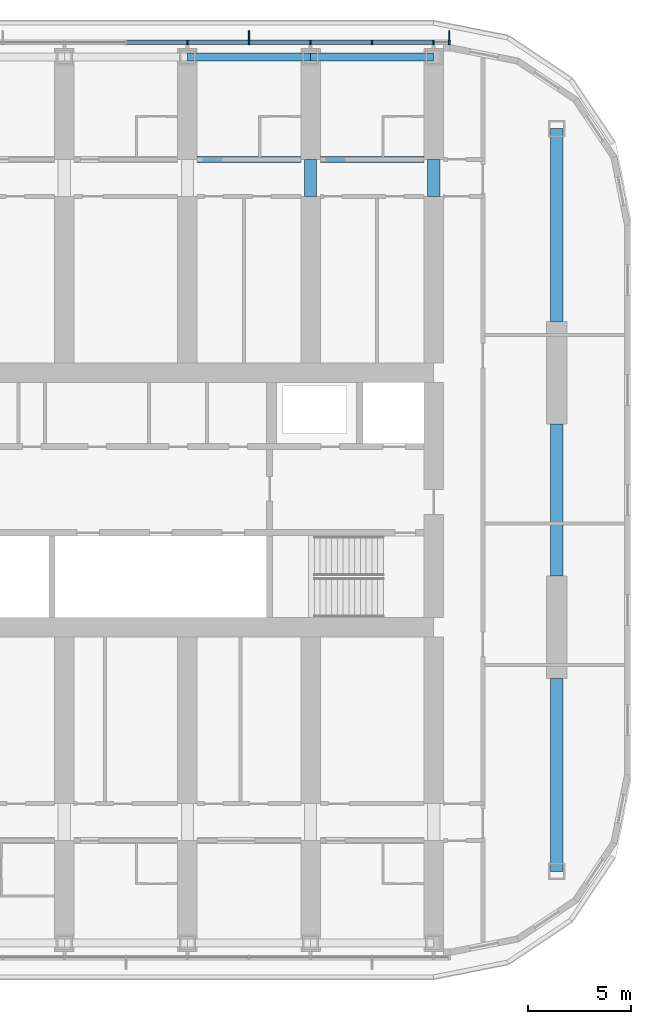
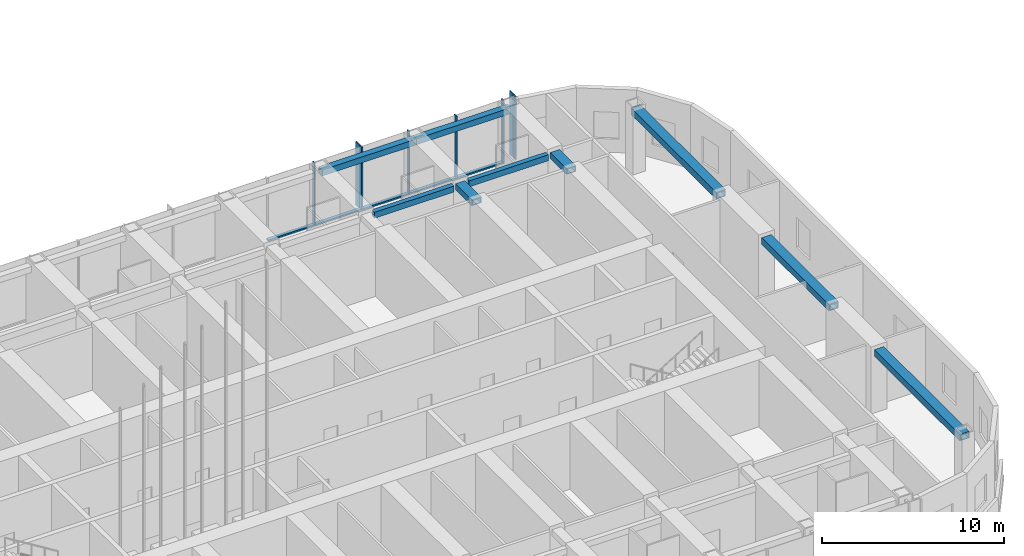
# One storey, part 5 of 32: 13 members, 9 beams, 1 element without a shape of its own.
"""IFC4 building model written with IfcOpenShell, lengths in metres."""

from ifc_helpers import new_model, si_unit, direction, frame, origin, origin_2d, place, context, subcontext, project, spatial, rectangle, hollow_rectangle, extrude, material, material_profile, profile_set, type_object, element, aggregate, save


model = new_model("IFC4")

# Units and contexts
model_context = context("Model", 3, precision=1e-05, world=origin(), true_north=direction((0.0, 1.0)))
body_context = subcontext(model_context, "Body", "Model", "MODEL_VIEW")
ifc_project = project(units=[si_unit("LENGTHUNIT", "METRE"), si_unit("AREAUNIT", "SQUARE_METRE"), si_unit("VOLUMEUNIT", "CUBIC_METRE"), si_unit("PLANEANGLEUNIT", "RADIAN"), si_unit("MASSUNIT", "GRAM", prefix="KILO")], contexts=[model_context])

# Site, building, storey
site_placement = place(None, origin())
site = spatial("IfcSite", under=ifc_project, at=site_placement, CompositionType="ELEMENT")
building_placement = place(site_placement, origin())
building = spatial("IfcBuilding", under=site, at=building_placement, Name="Orbita Commons", CompositionType="ELEMENT")
storey_placement = place(building_placement, frame((0.0, 0.0, 140.35009765625)))
storey = spatial("IfcBuildingStorey", under=building, at=storey_placement, Name="L34", CompositionType="ELEMENT", Elevation=140.35009765625)

# Curtain wall, members
ifc_material_1 = material(Name="Anodised aluminium frame, pale silver", Category="aluminium")
curtain_wall_type = type_object("IfcCurtainWallType", Name="Unitised curtain wall CW-S, full-height", PredefinedType="NOTDEFINED", material=ifc_material_1)
curtain_wall_placement = place(storey_placement, origin())
curtain_wall = element("IfcCurtainWall", 1, at=curtain_wall_placement, inside=storey, type_object=curtain_wall_type, Name="Curtain wall north L34", PredefinedType="NOTDEFINED")
ifc_material_2 = material(Name="Anodised aluminium, pale silver", Category="aluminium")
ifc_material_profile_1 = material_profile(ifc_material_2, rectangle(XDim=0.080078125, YDim=0.219970703125, at=origin_2d()), Name="AL 80x220")
ifc_profile_set_1 = profile_set([ifc_material_profile_1], Name="Anodised aluminium, pale silver")
member_type_1 = type_object("IfcMemberType", Name="Curtain wall mullion 80x220", PredefinedType="MULLION", material=ifc_profile_set_1)
member_1_placement = place(storey_placement, frame((66.760009765625, 54.31005859375, 0.0), z_axis=(0.0, 0.0, 1.0), x_axis=(-1.0, 0.0, 0.0)))
member_1 = element("IfcMember", 2, at=member_1_placement, type_object=member_type_1, Name="Mullion 1 CW-L34-N", PredefinedType="MULLION", context=body_context, shape_type="SweptSolid", body=[
    extrude(rectangle(XDim=0.080078125, YDim=0.219970703125, at=origin_2d()), origin(), (0.0, 0.0, 1.0), 4.25),
])
member_2_placement = place(storey_placement, frame((66.0, 54.31005859375, 0.0), z_axis=(0.0, 0.0, 1.0), x_axis=(-1.0, 0.0, 0.0)))
member_2 = element("IfcMember", 3, at=member_2_placement, type_object=member_type_1, Name="Mullion 2 CW-L34-N", PredefinedType="MULLION", context=body_context, shape_type="SweptSolid", body=[
    extrude(rectangle(XDim=0.080078125, YDim=0.219970703125, at=origin_2d()), origin(), (0.0, 0.0, 1.0), 4.25),
])
member_3_placement = place(storey_placement, frame((63.0, 54.31005859375, 0.0), z_axis=(0.0, 0.0, 1.0), x_axis=(-1.0, 0.0, 0.0)))
member_3 = element("IfcMember", 4, at=member_3_placement, type_object=member_type_1, Name="Mullion 3 CW-L34-N", PredefinedType="MULLION", context=body_context, shape_type="SweptSolid", body=[
    extrude(rectangle(XDim=0.080078125, YDim=0.219970703125, at=origin_2d()), origin(), (0.0, 0.0, 1.0), 4.25),
])
member_4_placement = place(storey_placement, frame((60.0, 54.31005859375, 0.0), z_axis=(0.0, 0.0, 1.0), x_axis=(-1.0, 0.0, 0.0)))
member_4 = element("IfcMember", 5, at=member_4_placement, type_object=member_type_1, Name="Mullion 4 CW-L34-N", PredefinedType="MULLION", context=body_context, shape_type="SweptSolid", body=[
    extrude(rectangle(XDim=0.080078125, YDim=0.219970703125, at=origin_2d()), origin(), (0.0, 0.0, 1.0), 4.25),
])
member_5_placement = place(storey_placement, frame((57.0, 54.31005859375, 0.0), z_axis=(0.0, 0.0, 1.0), x_axis=(-1.0, 0.0, 0.0)))
member_5 = element("IfcMember", 6, at=member_5_placement, type_object=member_type_1, Name="Mullion 5 CW-L34-N", PredefinedType="MULLION", context=body_context, shape_type="SweptSolid", body=[
    extrude(rectangle(XDim=0.080078125, YDim=0.219970703125, at=origin_2d()), origin(), (0.0, 0.0, 1.0), 4.25),
])
member_6_placement = place(storey_placement, frame((54.0, 54.31005859375, 0.0), z_axis=(0.0, 0.0, 1.0), x_axis=(-1.0, 0.0, 0.0)))
member_6 = element("IfcMember", 7, at=member_6_placement, type_object=member_type_1, Name="Mullion 6 CW-L34-N", PredefinedType="MULLION", context=body_context, shape_type="SweptSolid", body=[
    extrude(rectangle(XDim=0.080078125, YDim=0.219970703125, at=origin_2d()), origin(), (0.0, 0.0, 1.0), 4.25),
])
ifc_material_3 = material(Name="Anodised aluminium, pale silver", Category="aluminium")
ifc_material_profile_2 = material_profile(ifc_material_3, rectangle(XDim=0.219970703125, YDim=0.10009765625, at=origin_2d()), Name="AL 220x100")
ifc_profile_set_2 = profile_set([ifc_material_profile_2], Name="Anodised aluminium, pale silver")
member_type_2 = type_object("IfcMemberType", Name="Curtain wall stack transom 220x100", PredefinedType="USERDEFINED", material=ifc_profile_set_2)
member_7_placement = place(storey_placement, frame((65.9599609375, 54.31005859375, 0.0498046875), z_axis=(-1.0, 0.0, 0.0), x_axis=(0.0, -1.0, 0.0)))
member_7 = element("IfcMember", 8, at=member_7_placement, type_object=member_type_2, Name="Transom 2.1 CW-L34-N", ObjectType="TRANSOM", PredefinedType="USERDEFINED", context=body_context, shape_type="SweptSolid", body=[
    extrude(rectangle(XDim=0.219970703125, YDim=0.10009765625, at=origin_2d()), origin(), (0.0, 0.0, 1.0), 2.919921875),
])
member_8_placement = place(storey_placement, frame((62.9599609375, 54.31005859375, 0.0498046875), z_axis=(-1.0, 0.0, 0.0), x_axis=(0.0, -1.0, 0.0)))
member_8 = element("IfcMember", 9, at=member_8_placement, type_object=member_type_2, Name="Transom 3.1 CW-L34-N", ObjectType="TRANSOM", PredefinedType="USERDEFINED", context=body_context, shape_type="SweptSolid", body=[
    extrude(rectangle(XDim=0.219970703125, YDim=0.10009765625, at=origin_2d()), origin(), (0.0, 0.0, 1.0), 2.919921875),
])
member_9_placement = place(storey_placement, frame((59.9599609375, 54.31005859375, 0.0498046875), z_axis=(-1.0, 0.0, 0.0), x_axis=(0.0, -1.0, 0.0)))
member_9 = element("IfcMember", 10, at=member_9_placement, type_object=member_type_2, Name="Transom 4.1 CW-L34-N", ObjectType="TRANSOM", PredefinedType="USERDEFINED", context=body_context, shape_type="SweptSolid", body=[
    extrude(rectangle(XDim=0.219970703125, YDim=0.10009765625, at=origin_2d()), origin(), (0.0, 0.0, 1.0), 2.919921875),
])
member_10_placement = place(storey_placement, frame((56.9599609375, 54.31005859375, 0.0498046875), z_axis=(-1.0, 0.0, 0.0), x_axis=(0.0, -1.0, 0.0)))
member_10 = element("IfcMember", 11, at=member_10_placement, type_object=member_type_2, Name="Transom 5.1 CW-L34-N", ObjectType="TRANSOM", PredefinedType="USERDEFINED", context=body_context, shape_type="SweptSolid", body=[
    extrude(rectangle(XDim=0.219970703125, YDim=0.10009765625, at=origin_2d()), origin(), (0.0, 0.0, 1.0), 2.919921875),
])
member_11_placement = place(storey_placement, frame((53.9599609375, 54.31005859375, 0.0498046875), z_axis=(-1.0, 0.0, 0.0), x_axis=(0.0, -1.0, 0.0)))
member_11 = element("IfcMember", 12, at=member_11_placement, type_object=member_type_2, Name="Transom 6.1 CW-L34-N", ObjectType="TRANSOM", PredefinedType="USERDEFINED", context=body_context, shape_type="SweptSolid", body=[
    extrude(rectangle(XDim=0.219970703125, YDim=0.10009765625, at=origin_2d()), origin(), (0.0, 0.0, 1.0), 2.919921875),
])

# Beams
ifc_material_4 = material(Name="Steel ASTM A572 Gr 50 welded plate", Category="steel")
ifc_material_profile_3 = material_profile(ifc_material_4, hollow_rectangle(XDim=0.300048828125, YDim=0.39990234375, WallThickness=0.0400390625, at=origin_2d()), Name="BOX 400x300x40")
ifc_profile_set_3 = profile_set([ifc_material_profile_3], Name="Steel ASTM A572 Gr 50 welded plate")
beam_type_1 = type_object("IfcBeamType", Name="Steel corridor link BOX 400x300x40", PredefinedType="BEAM", material=ifc_profile_set_3)
for number, where, z_axis, x_axis, name in (
    (13, (54.47509765625, 48.60009765625, 4.0498046875), (1.0, 0.0, 0.0), (0.0, 1.0, 0.0), "Corridor beam NB 10-11 L34"),
    (14, (60.47509765625, 48.60009765625, 4.0498046875), (1.0, 0.0, 0.0), (0.0, 1.0, 0.0), "Corridor beam NB 11-12 L34"),
):
    element("IfcBeam", number, at=place(storey_placement, frame(where, z_axis=z_axis, x_axis=x_axis)), inside=storey, type_object=beam_type_1, Name=name, PredefinedType="BEAM", context=body_context, shape_type="SweptSolid", body=[
        extrude(hollow_rectangle(XDim=0.300048828125, YDim=0.39990234375, WallThickness=0.0400390625, at=origin_2d()), origin(), (0.0, 0.0, 1.0), 5.0498046875),
    ])
ifc_material_5 = material(Name="Steel ASTM A572 Gr 50 welded plate", Category="steel")
ifc_material_profile_4 = material_profile(ifc_material_5, hollow_rectangle(XDim=0.60009765625, YDim=0.39990234375, WallThickness=0.050048828125, at=origin_2d()), Name="BOX 400x600x50")
ifc_profile_set_4 = profile_set([ifc_material_profile_4], Name="Steel ASTM A572 Gr 50 welded plate")
beam_type_2 = type_object("IfcBeamType", Name="Steel coupling link BOX 400x600x50", PredefinedType="LINTEL", material=ifc_profile_set_4)
for number, where, z_axis, x_axis, name in (
    (15, (60.0, 46.800048828125, 4.0498046875), (0.0, 1.0, 0.0), (-1.0, 0.0, 0.0), "Coupling beam 11 north L34"),
    (16, (66.0, 46.800048828125, 4.0498046875), (0.0, 1.0, 0.0), (-1.0, 0.0, 0.0), "Coupling beam 12 north L34"),
):
    element("IfcBeam", number, at=place(storey_placement, frame(where, z_axis=z_axis, x_axis=x_axis)), inside=storey, type_object=beam_type_2, Name=name, PredefinedType="LINTEL", context=body_context, shape_type="SweptSolid", body=[
        extrude(hollow_rectangle(XDim=0.60009765625, YDim=0.39990234375, WallThickness=0.050048828125, at=origin_2d()), origin(), (0.0, 0.0, 1.0), 1.800048828125),
    ])
ifc_material_6 = material(Name="Steel ASTM A572 Gr 50 welded plate", Category="steel")
ifc_material_profile_5 = material_profile(ifc_material_6, hollow_rectangle(XDim=0.60009765625, YDim=0.449951171875, WallThickness=0.06005859375, at=origin_2d()), Name="BOX 450x600x60")
ifc_profile_set_5 = profile_set([ifc_material_profile_5], Name="Steel ASTM A572 Gr 50 welded plate")
beam_type_3 = type_object("IfcBeamType", Name="Steel end frame link BOX 450x600x60", PredefinedType="BEAM", material=ifc_profile_set_5)
beam_1_placement = place(storey_placement, frame((72.0, 13.89990234375, 4.02490234375), z_axis=(0.0, 1.0, 0.0), x_axis=(-1.0, 0.0, 0.0)))
element("IfcBeam", 17, at=beam_1_placement, inside=storey, type_object=beam_type_3, Name="End frame beam 13 B-C L34", PredefinedType="BEAM", context=body_context, shape_type="SweptSolid", body=[
    extrude(hollow_rectangle(XDim=0.60009765625, YDim=0.449951171875, WallThickness=0.06005859375, at=origin_2d()), origin(), (0.0, 0.0, 1.0), 9.400146484375),
])
beam_2_placement = place(storey_placement, frame((72.0, 28.300048828125, 4.02490234375), z_axis=(0.0, 1.0, 0.0), x_axis=(-1.0, 0.0, 0.0)))
element("IfcBeam", 18, at=beam_2_placement, inside=storey, type_object=beam_type_3, Name="End frame beam 13 C-D L34", PredefinedType="BEAM", context=body_context, shape_type="SweptSolid", body=[
    extrude(hollow_rectangle(XDim=0.60009765625, YDim=0.449951171875, WallThickness=0.06005859375, at=origin_2d()), origin(), (0.0, 0.0, 1.0), 7.39990234375),
])
beam_3_placement = place(storey_placement, frame((72.0, 40.699951171875, 4.02490234375), z_axis=(0.0, 1.0, 0.0), x_axis=(-1.0, 0.0, 0.0)))
element("IfcBeam", 19, at=beam_3_placement, inside=storey, type_object=beam_type_3, Name="End frame beam 13 D-E L34", PredefinedType="BEAM", context=body_context, shape_type="SweptSolid", body=[
    extrude(hollow_rectangle(XDim=0.60009765625, YDim=0.449951171875, WallThickness=0.06005859375, at=origin_2d()), origin(), (0.0, 0.0, 1.0), 9.400146484375),
])
ifc_material_7 = material(Name="Steel ASTM A572 Gr 50 welded plate", Category="steel")
ifc_material_profile_6 = material_profile(ifc_material_7, hollow_rectangle(XDim=0.39990234375, YDim=0.39990234375, WallThickness=0.0400390625, at=origin_2d()), Name="BOX 400x400x40")
ifc_profile_set_6 = profile_set([ifc_material_profile_6], Name="Steel ASTM A572 Gr 50 welded plate")
beam_type_4 = type_object("IfcBeamType", Name="Steel spandrel BOX 400x400x40", PredefinedType="SPANDREL", material=ifc_profile_set_6)
for number, where, z_axis, x_axis, name in (
    (20, (54.0, 53.60009765625, 4.0498046875), (1.0, 0.0, 0.0), (0.0, 1.0, 0.0), "Spandrel beam E 10-11 L34"),
    (21, (60.0, 53.60009765625, 4.0498046875), (1.0, 0.0, 0.0), (0.0, 1.0, 0.0), "Spandrel beam E 11-12 L34"),
):
    element("IfcBeam", number, at=place(storey_placement, frame(where, z_axis=z_axis, x_axis=x_axis)), inside=storey, type_object=beam_type_4, Name=name, PredefinedType="SPANDREL", context=body_context, shape_type="SweptSolid", body=[
        extrude(hollow_rectangle(XDim=0.39990234375, YDim=0.39990234375, WallThickness=0.0400390625, at=origin_2d()), origin(), (0.0, 0.0, 1.0), 6.0),
    ])

# Member
ifc_material_8 = material(Name="Anodised aluminium, pale silver", Category="aluminium")
ifc_material_profile_7 = material_profile(ifc_material_8, rectangle(XDim=0.06005859375, YDim=0.449951171875, at=origin_2d()), Name="FIN 60x450")
ifc_profile_set_7 = profile_set([ifc_material_profile_7], Name="Anodised aluminium, pale silver")
member_type_3 = type_object("IfcMemberType", Name="Vertical fin 60x450 pale aluminium", PredefinedType="USERDEFINED", material=ifc_profile_set_7)
member_12_placement = place(storey_placement, frame((66.760009765625, 54.64501953125, 0.0), z_axis=(0.0, 0.0, 1.0), x_axis=(-1.0, 0.0, 0.0)))
member_12 = element("IfcMember", 22, at=member_12_placement, type_object=member_type_3, Name="Fin 1 CW-L34-N", ObjectType="FIN", PredefinedType="USERDEFINED", context=body_context, shape_type="SweptSolid", body=[
    extrude(rectangle(XDim=0.06005859375, YDim=0.449951171875, at=origin_2d()), origin(), (0.0, 0.0, 1.0), 4.25),
])

member_13_placement = place(storey_placement, frame((57.0, 54.64501953125, 0.0), z_axis=(0.0, 0.0, 1.0), x_axis=(-1.0, 0.0, 0.0)))
member_13 = element("IfcMember", 23, at=member_13_placement, type_object=member_type_3, Name="Fin 5 CW-L34-N", ObjectType="FIN", PredefinedType="USERDEFINED", context=body_context, shape_type="SweptSolid", body=[
    extrude(rectangle(XDim=0.06005859375, YDim=0.449951171875, at=origin_2d()), origin(), (0.0, 0.0, 1.0), 4.25),
])

aggregate(curtain_wall, [member_1, member_12, member_2, member_3, member_4, member_5, member_13, member_6, member_7, member_8, member_9, member_10, member_11])

save(model, "model.ifc")
